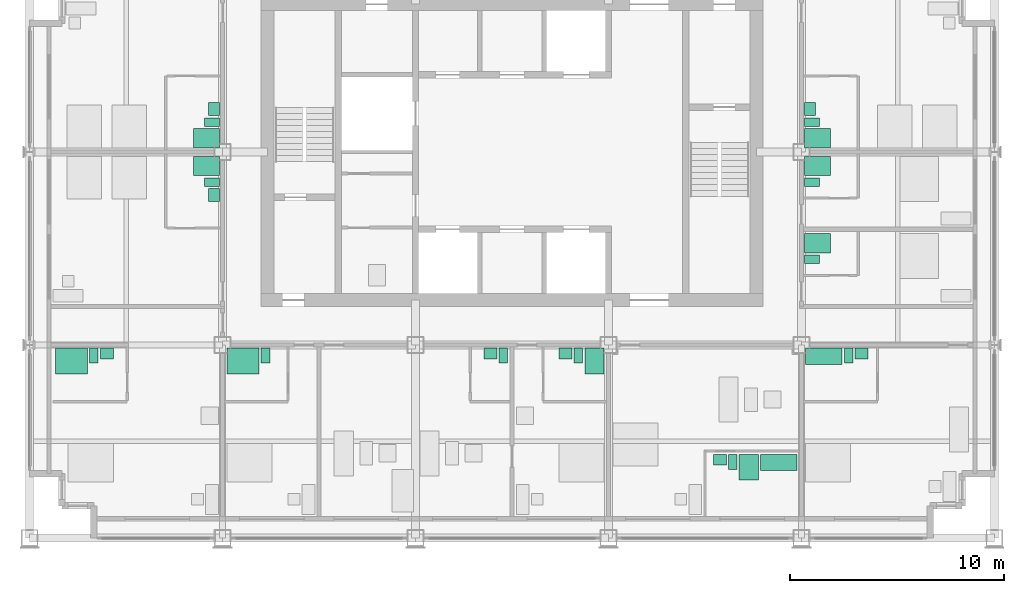
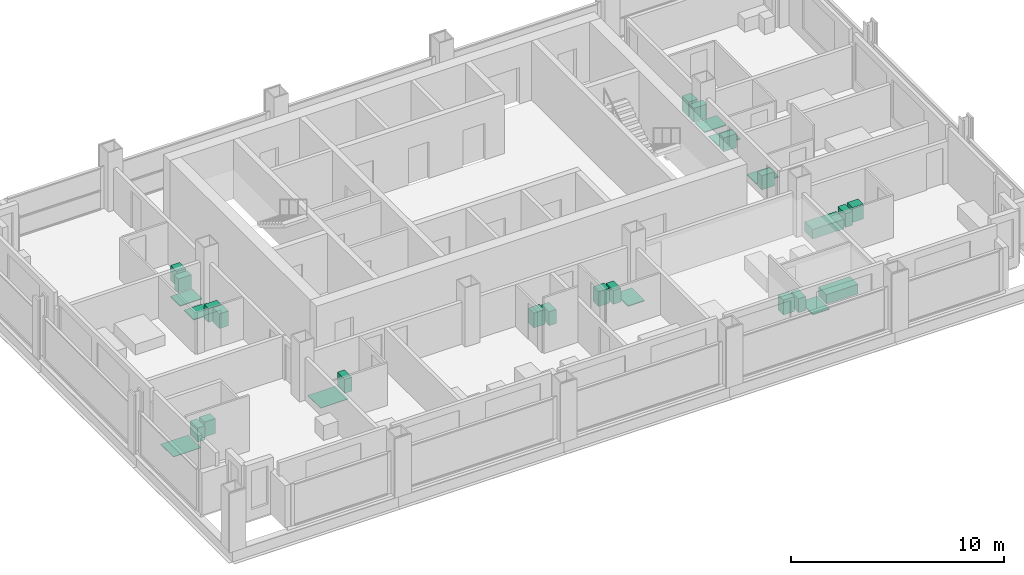
# One storey, part 12 of 13: 30 sanitary terminals.
"""IFC4 building model written with IfcOpenShell, lengths in metres."""

from ifc_helpers import new_model, si_unit, direction, frame, origin, origin_2d, place, context, subcontext, project, spatial, rectangle, extrude, element, save


model = new_model("IFC4")

# Units and contexts
model_context = context("Model", 3, precision=1e-05, world=origin(), true_north=direction((0.0, 1.0)))
body_context = subcontext(model_context, "Body", "Model", "MODEL_VIEW")
ifc_project = project(units=[si_unit("LENGTHUNIT", "METRE"), si_unit("AREAUNIT", "SQUARE_METRE"), si_unit("VOLUMEUNIT", "CUBIC_METRE"), si_unit("PLANEANGLEUNIT", "RADIAN"), si_unit("MASSUNIT", "GRAM", prefix="KILO")], contexts=[model_context])

# Site, building, storey
site_placement = place(None, origin())
site = spatial("IfcSite", under=ifc_project, at=site_placement, CompositionType="ELEMENT")
building_placement = place(site_placement, origin())
building = spatial("IfcBuilding", under=site, at=building_placement, Name="Loomwork Tower", CompositionType="ELEMENT")
storey_placement = place(building_placement, frame((0.0, 0.0, 201.199951171875)))
storey = spatial("IfcBuildingStorey", under=building, at=storey_placement, Name="L55", CompositionType="ELEMENT", Elevation=201.199951171875)

# Sanitary terminals
sanitary_terminal_1_placement = place(storey_placement, frame((1.949951171875, 8.25, 0.0), z_axis=(0.0, 0.0, 1.0), x_axis=(1.0, 0.0, 0.0)))
element("IfcSanitaryTerminal", 1, at=sanitary_terminal_1_placement, inside=storey, Name="Roll-in shower floor L55", PredefinedType="SHOWER", context=body_context, shape_type="SweptSolid", body=[
    extrude(rectangle(XDim=1.5, YDim=1.199951171875, at=origin_2d()), origin(), (0.0, 0.0, 1.0), 0.030029296875),
])
sanitary_terminal_2_placement = place(storey_placement, frame((3.0, 8.5, 0.0), z_axis=(0.0, 0.0, 1.0), x_axis=(1.0, 0.0, 0.0)))
element("IfcSanitaryTerminal", 2, at=sanitary_terminal_2_placement, inside=storey, Name="WC L55", PredefinedType="TOILETPAN", context=body_context, shape_type="SweptSolid", body=[
    extrude(rectangle(XDim=0.39990234375, YDim=0.699951171875, at=origin_2d()), origin(), (0.0, 0.0, 1.0), 0.800048828125),
])
sanitary_terminal_3_placement = place(storey_placement, frame((3.60009765625, 8.60009765625, 0.0), z_axis=(0.0, 0.0, 1.0), x_axis=(1.0, 0.0, 0.0)))
element("IfcSanitaryTerminal", 3, at=sanitary_terminal_3_placement, inside=storey, Name="Basin vanity L55", PredefinedType="WASHHANDBASIN", context=body_context, shape_type="SweptSolid", body=[
    extrude(rectangle(XDim=0.60009765625, YDim=0.5, at=origin_2d()), origin(), (0.0, 0.0, 1.0), 0.85009765625),
])
sanitary_terminal_4_placement = place(storey_placement, frame((9.949951171875, 8.25, 0.0), z_axis=(0.0, 0.0, 1.0), x_axis=(1.0, 0.0, 0.0)))
element("IfcSanitaryTerminal", 4, at=sanitary_terminal_4_placement, inside=storey, Name="Roll-in shower floor L55", PredefinedType="SHOWER", context=body_context, shape_type="SweptSolid", body=[
    extrude(rectangle(XDim=1.5, YDim=1.199951171875, at=origin_2d()), origin(), (0.0, 0.0, 1.0), 0.030029296875),
])
for number, where, z_axis, x_axis, name in (
    (5, (11.0, 8.5, 0.0), (0.0, 0.0, 1.0), (1.0, 0.0, 0.0), "WC L55"),
    (6, (22.10009765625, 8.5, 0.0), (0.0, 0.0, 1.0), (1.0, 0.0, 0.0), "WC L55"),
):
    element("IfcSanitaryTerminal", number, at=place(storey_placement, frame(where, z_axis=z_axis, x_axis=x_axis)), inside=storey, Name=name, PredefinedType="TOILETPAN", context=body_context, shape_type="SweptSolid", body=[
        extrude(rectangle(XDim=0.39990234375, YDim=0.699951171875, at=origin_2d()), origin(), (0.0, 0.0, 1.0), 0.800048828125),
    ])
sanitary_terminal_5_placement = place(storey_placement, frame((21.5, 8.60009765625, 0.0), z_axis=(0.0, 0.0, 1.0), x_axis=(1.0, 0.0, 0.0)))
element("IfcSanitaryTerminal", 7, at=sanitary_terminal_5_placement, inside=storey, Name="Basin vanity L55", PredefinedType="WASHHANDBASIN", context=body_context, shape_type="SweptSolid", body=[
    extrude(rectangle(XDim=0.60009765625, YDim=0.5, at=origin_2d()), origin(), (0.0, 0.0, 1.0), 0.85009765625),
])
sanitary_terminal_6_placement = place(storey_placement, frame((26.35009765625, 8.25, 0.0), z_axis=(0.0, 0.0, 1.0), x_axis=(1.0, 0.0, 0.0)))
element("IfcSanitaryTerminal", 8, at=sanitary_terminal_6_placement, inside=storey, Name="Shower tray L55", PredefinedType="SHOWER", context=body_context, shape_type="SweptSolid", body=[
    extrude(rectangle(XDim=0.89990234375, YDim=1.199951171875, at=origin_2d()), origin(), (0.0, 0.0, 1.0), 0.050048828125),
])
sanitary_terminal_7_placement = place(storey_placement, frame((25.60009765625, 8.5, 0.0), z_axis=(0.0, 0.0, 1.0), x_axis=(1.0, 0.0, 0.0)))
element("IfcSanitaryTerminal", 9, at=sanitary_terminal_7_placement, inside=storey, Name="WC L55", PredefinedType="TOILETPAN", context=body_context, shape_type="SweptSolid", body=[
    extrude(rectangle(XDim=0.39990234375, YDim=0.699951171875, at=origin_2d()), origin(), (0.0, 0.0, 1.0), 0.800048828125),
])
sanitary_terminal_8_placement = place(storey_placement, frame((25.0, 8.60009765625, 0.0), z_axis=(0.0, 0.0, 1.0), x_axis=(1.0, 0.0, 0.0)))
element("IfcSanitaryTerminal", 10, at=sanitary_terminal_8_placement, inside=storey, Name="Basin vanity L55", PredefinedType="WASHHANDBASIN", context=body_context, shape_type="SweptSolid", body=[
    extrude(rectangle(XDim=0.60009765625, YDim=0.5, at=origin_2d()), origin(), (0.0, 0.0, 1.0), 0.85009765625),
])
sanitary_terminal_9_placement = place(storey_placement, frame((34.949951171875, 3.52490234375, 0.0), z_axis=(0.0, 0.0, 1.0), x_axis=(1.0, 0.0, 0.0)))
element("IfcSanitaryTerminal", 11, at=sanitary_terminal_9_placement, inside=storey, Name="Bath L55", PredefinedType="BATH", context=body_context, shape_type="SweptSolid", body=[
    extrude(rectangle(XDim=1.699951171875, YDim=0.75, at=origin_2d()), origin(), (0.0, 0.0, 1.0), 0.550048828125),
])
sanitary_terminal_10_placement = place(storey_placement, frame((33.550048828125, 3.300048828125, 0.0), z_axis=(0.0, 0.0, 1.0), x_axis=(1.0, 0.0, 0.0)))
element("IfcSanitaryTerminal", 12, at=sanitary_terminal_10_placement, inside=storey, Name="Shower tray L55", PredefinedType="SHOWER", context=body_context, shape_type="SweptSolid", body=[
    extrude(rectangle(XDim=0.89990234375, YDim=1.199951171875, at=origin_2d()), origin(), (0.0, 0.0, 1.0), 0.050048828125),
])
sanitary_terminal_11_placement = place(storey_placement, frame((32.800048828125, 3.550048828125, 0.0), z_axis=(0.0, 0.0, 1.0), x_axis=(1.0, 0.0, 0.0)))
element("IfcSanitaryTerminal", 13, at=sanitary_terminal_11_placement, inside=storey, Name="WC L55", PredefinedType="TOILETPAN", context=body_context, shape_type="SweptSolid", body=[
    extrude(rectangle(XDim=0.39990234375, YDim=0.699951171875, at=origin_2d()), origin(), (0.0, 0.0, 1.0), 0.800048828125),
])
sanitary_terminal_12_placement = place(storey_placement, frame((32.199951171875, 3.64990234375, 0.0), z_axis=(0.0, 0.0, 1.0), x_axis=(1.0, 0.0, 0.0)))
element("IfcSanitaryTerminal", 14, at=sanitary_terminal_12_placement, inside=storey, Name="Basin vanity L55", PredefinedType="WASHHANDBASIN", context=body_context, shape_type="SweptSolid", body=[
    extrude(rectangle(XDim=0.60009765625, YDim=0.5, at=origin_2d()), origin(), (0.0, 0.0, 1.0), 0.85009765625),
])
sanitary_terminal_13_placement = place(storey_placement, frame((37.050048828125, 8.47509765625, 0.0), z_axis=(0.0, 0.0, 1.0), x_axis=(1.0, 0.0, 0.0)))
element("IfcSanitaryTerminal", 15, at=sanitary_terminal_13_placement, inside=storey, Name="Bath L55", PredefinedType="BATH", context=body_context, shape_type="SweptSolid", body=[
    extrude(rectangle(XDim=1.699951171875, YDim=0.75, at=origin_2d()), origin(), (0.0, 0.0, 1.0), 0.550048828125),
])
sanitary_terminal_14_placement = place(storey_placement, frame((38.199951171875, 8.5, 0.0), z_axis=(0.0, 0.0, 1.0), x_axis=(1.0, 0.0, 0.0)))
element("IfcSanitaryTerminal", 16, at=sanitary_terminal_14_placement, inside=storey, Name="WC L55", PredefinedType="TOILETPAN", context=body_context, shape_type="SweptSolid", body=[
    extrude(rectangle(XDim=0.39990234375, YDim=0.699951171875, at=origin_2d()), origin(), (0.0, 0.0, 1.0), 0.800048828125),
])
sanitary_terminal_15_placement = place(storey_placement, frame((38.800048828125, 8.60009765625, 0.0), z_axis=(0.0, 0.0, 1.0), x_axis=(1.0, 0.0, 0.0)))
element("IfcSanitaryTerminal", 17, at=sanitary_terminal_15_placement, inside=storey, Name="Basin vanity L55", PredefinedType="WASHHANDBASIN", context=body_context, shape_type="SweptSolid", body=[
    extrude(rectangle(XDim=0.60009765625, YDim=0.5, at=origin_2d()), origin(), (0.0, 0.0, 1.0), 0.85009765625),
])
sanitary_terminal_16_placement = place(storey_placement, frame((8.25, 17.35009765625, 0.0), z_axis=(0.0, 0.0, 1.0), x_axis=(1.0, 0.0, 0.0)))
element("IfcSanitaryTerminal", 18, at=sanitary_terminal_16_placement, inside=storey, Name="Shower tray L55", PredefinedType="SHOWER", context=body_context, shape_type="SweptSolid", body=[
    extrude(rectangle(XDim=1.199951171875, YDim=0.89990234375, at=origin_2d()), origin(), (0.0, 0.0, 1.0), 0.050048828125),
])
sanitary_terminal_17_placement = place(storey_placement, frame((8.5, 16.60009765625, 0.0), z_axis=(0.0, 0.0, 1.0), x_axis=(1.0, 0.0, 0.0)))
element("IfcSanitaryTerminal", 19, at=sanitary_terminal_17_placement, inside=storey, Name="WC L55", PredefinedType="TOILETPAN", context=body_context, shape_type="SweptSolid", body=[
    extrude(rectangle(XDim=0.699951171875, YDim=0.39990234375, at=origin_2d()), origin(), (0.0, 0.0, 1.0), 0.800048828125),
])
sanitary_terminal_18_placement = place(storey_placement, frame((8.60009765625, 16.0, 0.0), z_axis=(0.0, 0.0, 1.0), x_axis=(1.0, 0.0, 0.0)))
element("IfcSanitaryTerminal", 20, at=sanitary_terminal_18_placement, inside=storey, Name="Basin vanity L55", PredefinedType="WASHHANDBASIN", context=body_context, shape_type="SweptSolid", body=[
    extrude(rectangle(XDim=0.5, YDim=0.60009765625, at=origin_2d()), origin(), (0.0, 0.0, 1.0), 0.85009765625),
])
sanitary_terminal_19_placement = place(storey_placement, frame((8.25, 18.64990234375, 0.0), z_axis=(0.0, 0.0, 1.0), x_axis=(1.0, 0.0, 0.0)))
element("IfcSanitaryTerminal", 21, at=sanitary_terminal_19_placement, inside=storey, Name="Shower tray L55", PredefinedType="SHOWER", context=body_context, shape_type="SweptSolid", body=[
    extrude(rectangle(XDim=1.199951171875, YDim=0.89990234375, at=origin_2d()), origin(), (0.0, 0.0, 1.0), 0.050048828125),
])
sanitary_terminal_20_placement = place(storey_placement, frame((8.5, 19.39990234375, 0.0), z_axis=(0.0, 0.0, 1.0), x_axis=(1.0, 0.0, 0.0)))
element("IfcSanitaryTerminal", 22, at=sanitary_terminal_20_placement, inside=storey, Name="WC L55", PredefinedType="TOILETPAN", context=body_context, shape_type="SweptSolid", body=[
    extrude(rectangle(XDim=0.699951171875, YDim=0.39990234375, at=origin_2d()), origin(), (0.0, 0.0, 1.0), 0.800048828125),
])
sanitary_terminal_21_placement = place(storey_placement, frame((8.60009765625, 20.0, 0.0), z_axis=(0.0, 0.0, 1.0), x_axis=(1.0, 0.0, 0.0)))
element("IfcSanitaryTerminal", 23, at=sanitary_terminal_21_placement, inside=storey, Name="Basin vanity L55", PredefinedType="WASHHANDBASIN", context=body_context, shape_type="SweptSolid", body=[
    extrude(rectangle(XDim=0.5, YDim=0.60009765625, at=origin_2d()), origin(), (0.0, 0.0, 1.0), 0.85009765625),
])
sanitary_terminal_22_placement = place(storey_placement, frame((36.75, 13.75, 0.0), z_axis=(0.0, 0.0, 1.0), x_axis=(1.0, 0.0, 0.0)))
element("IfcSanitaryTerminal", 24, at=sanitary_terminal_22_placement, inside=storey, Name="Shower tray L55", PredefinedType="SHOWER", context=body_context, shape_type="SweptSolid", body=[
    extrude(rectangle(XDim=1.199951171875, YDim=0.89990234375, at=origin_2d()), origin(), (0.0, 0.0, 1.0), 0.050048828125),
])
sanitary_terminal_23_placement = place(storey_placement, frame((36.5, 13.0, 0.0), z_axis=(0.0, 0.0, 1.0), x_axis=(1.0, 0.0, 0.0)))
element("IfcSanitaryTerminal", 25, at=sanitary_terminal_23_placement, inside=storey, Name="WC L55", PredefinedType="TOILETPAN", context=body_context, shape_type="SweptSolid", body=[
    extrude(rectangle(XDim=0.699951171875, YDim=0.39990234375, at=origin_2d()), origin(), (0.0, 0.0, 1.0), 0.800048828125),
])
sanitary_terminal_24_placement = place(storey_placement, frame((36.75, 17.35009765625, 0.0), z_axis=(0.0, 0.0, 1.0), x_axis=(1.0, 0.0, 0.0)))
element("IfcSanitaryTerminal", 26, at=sanitary_terminal_24_placement, inside=storey, Name="Shower tray L55", PredefinedType="SHOWER", context=body_context, shape_type="SweptSolid", body=[
    extrude(rectangle(XDim=1.199951171875, YDim=0.89990234375, at=origin_2d()), origin(), (0.0, 0.0, 1.0), 0.050048828125),
])
sanitary_terminal_25_placement = place(storey_placement, frame((36.5, 16.60009765625, 0.0), z_axis=(0.0, 0.0, 1.0), x_axis=(1.0, 0.0, 0.0)))
element("IfcSanitaryTerminal", 27, at=sanitary_terminal_25_placement, inside=storey, Name="WC L55", PredefinedType="TOILETPAN", context=body_context, shape_type="SweptSolid", body=[
    extrude(rectangle(XDim=0.699951171875, YDim=0.39990234375, at=origin_2d()), origin(), (0.0, 0.0, 1.0), 0.800048828125),
])
sanitary_terminal_26_placement = place(storey_placement, frame((36.75, 18.64990234375, 0.0), z_axis=(0.0, 0.0, 1.0), x_axis=(1.0, 0.0, 0.0)))
element("IfcSanitaryTerminal", 28, at=sanitary_terminal_26_placement, inside=storey, Name="Shower tray L55", PredefinedType="SHOWER", context=body_context, shape_type="SweptSolid", body=[
    extrude(rectangle(XDim=1.199951171875, YDim=0.89990234375, at=origin_2d()), origin(), (0.0, 0.0, 1.0), 0.050048828125),
])
sanitary_terminal_27_placement = place(storey_placement, frame((36.5, 19.39990234375, 0.0), z_axis=(0.0, 0.0, 1.0), x_axis=(1.0, 0.0, 0.0)))
element("IfcSanitaryTerminal", 29, at=sanitary_terminal_27_placement, inside=storey, Name="WC L55", PredefinedType="TOILETPAN", context=body_context, shape_type="SweptSolid", body=[
    extrude(rectangle(XDim=0.699951171875, YDim=0.39990234375, at=origin_2d()), origin(), (0.0, 0.0, 1.0), 0.800048828125),
])
sanitary_terminal_28_placement = place(storey_placement, frame((36.39990234375, 20.0, 0.0), z_axis=(0.0, 0.0, 1.0), x_axis=(1.0, 0.0, 0.0)))
element("IfcSanitaryTerminal", 30, at=sanitary_terminal_28_placement, inside=storey, Name="Basin vanity L55", PredefinedType="WASHHANDBASIN", context=body_context, shape_type="SweptSolid", body=[
    extrude(rectangle(XDim=0.5, YDim=0.60009765625, at=origin_2d()), origin(), (0.0, 0.0, 1.0), 0.85009765625),
])

save(model, "model.ifc")
